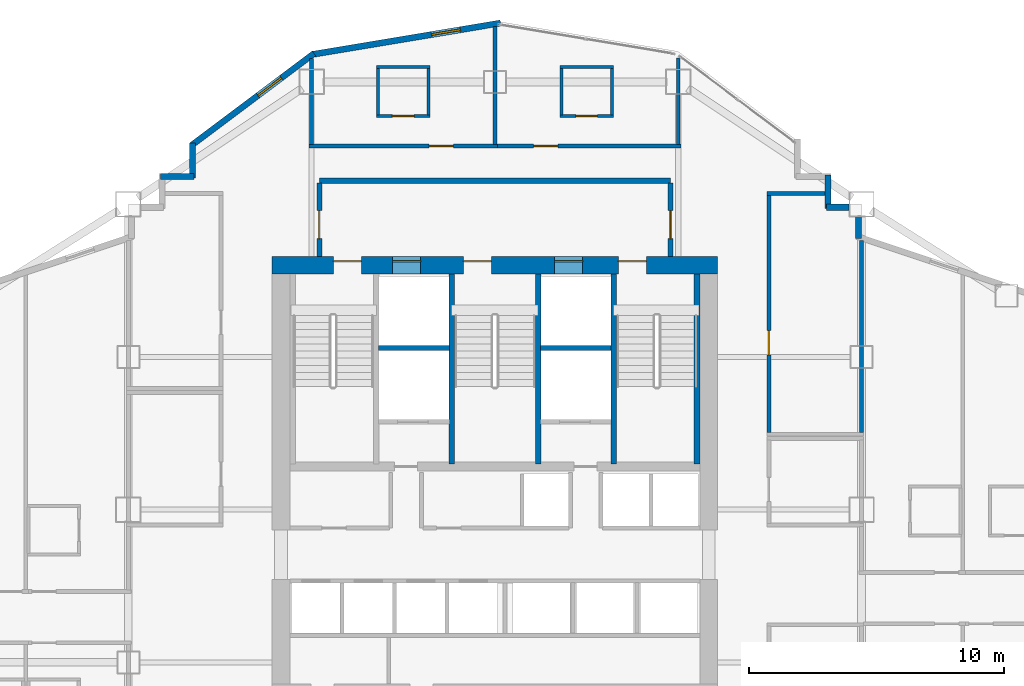
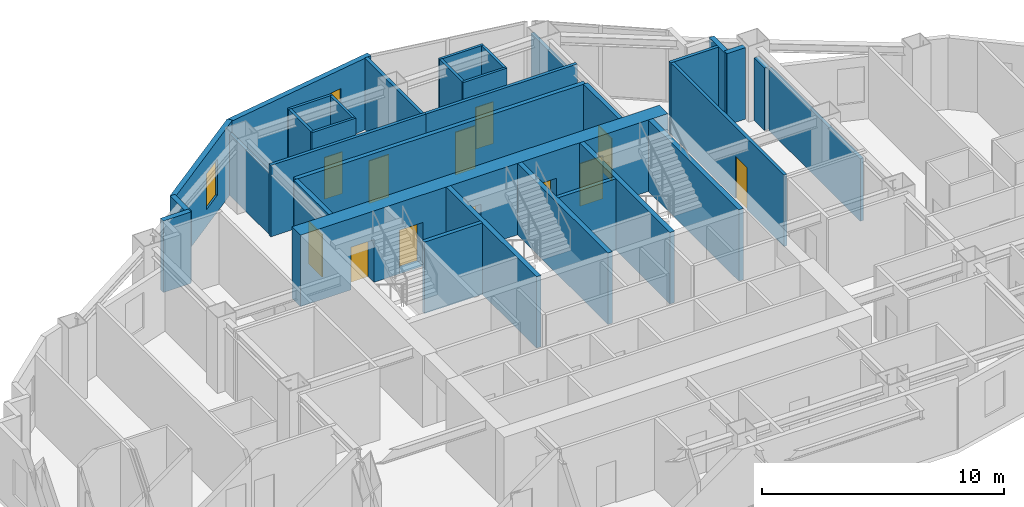
# One storey, part 11 of 16: 33 walls, 12 doors, 2 windows, 14 openings.
"""IFC4 building model written with IfcOpenShell, lengths in metres."""

from ifc_helpers import new_model, si_unit, direction, frame, frame_2d, origin, place, context, subcontext, project, spatial, rectangle, extrude, material, layer, layer_set, type_object, element, fill, save


model = new_model("IFC4")

# Units and contexts
model_context = context("Model", 3, precision=1e-05, world=origin(), true_north=direction((0.0, 1.0)))
body_context = subcontext(model_context, "Body", "Model", "MODEL_VIEW")
ifc_project = project(units=[si_unit("LENGTHUNIT", "METRE"), si_unit("AREAUNIT", "SQUARE_METRE"), si_unit("VOLUMEUNIT", "CUBIC_METRE"), si_unit("PLANEANGLEUNIT", "RADIAN"), si_unit("MASSUNIT", "GRAM", prefix="KILO")], contexts=[model_context])

# Site, building, storey
site_placement = place(None, origin())
site = spatial("IfcSite", under=ifc_project, at=site_placement, CompositionType="ELEMENT")
building_placement = place(site_placement, origin())
building = spatial("IfcBuilding", under=site, at=building_placement, Name="Haolan Belvedere Tower", CompositionType="ELEMENT")
storey_placement = place(building_placement, frame((0.0, 0.0, 125.0)))
storey = spatial("IfcBuildingStorey", under=building, at=storey_placement, Name="L31", CompositionType="ELEMENT", Elevation=125.0)

# Wall, openings, doors
ifc_material_1 = material(Name="Concrete C60/75", Category="concrete")
ifc_layer_1 = layer(ifc_material_1, 0.699951171875, Name="Concrete C60/75")
ifc_layer_set_1 = layer_set([ifc_layer_1], Name="Concrete C60/75")
wall_type_1 = type_object("IfcWallType", Name="WL-CORE-700", PredefinedType="SHEAR", material=ifc_layer_set_1)
wall_1_placement = place(storey_placement, frame((29.64990234375, 43.199951171875, 0.0), z_axis=(0.0, 0.0, 1.0), x_axis=(1.0, 0.0, 0.0)))
wall_1 = element("IfcWall", 1, at=wall_1_placement, inside=storey, type_object=wall_type_1, Name="L31 central core north shear wall", PredefinedType="SHEAR", context=body_context, shape_type="SweptSolid", body=[
    extrude(rectangle(XDim=17.5, YDim=0.699951171875, at=frame_2d((8.75, 0.0))), origin(), (0.0, 0.0, 1.0), 3.60009765625),
])
opening_1_placement = place(wall_1_placement, frame((2.39990234375, 0.0, 0.0)))
opening_1 = element("IfcOpeningElement", 2, at=opening_1_placement, cuts=wall_1, Name="Opening FD-03", PredefinedType="OPENING", context=body_context, shape_type="SweptSolid", body=[
    extrude(rectangle(XDim=1.10009765625, YDim=2.14990234375, at=frame_2d((0.550048828125, 1.074951171875))), frame((0.0, 0.35986328125, 0.0), z_axis=(0.0, -1.0, 0.0), x_axis=(1.0, 0.0, 0.0)), (0.0, 0.0, 1.0), 0.719970703125),
])
opening_2_placement = place(wall_1_placement, frame((7.510009765625, 0.0, 0.0)))
opening_2 = element("IfcOpeningElement", 3, at=opening_2_placement, cuts=wall_1, Name="Opening FD-03", PredefinedType="OPENING", context=body_context, shape_type="SweptSolid", body=[
    extrude(rectangle(XDim=1.10009765625, YDim=2.14990234375, at=frame_2d((0.550048828125, 1.074951171875))), frame((0.0, 0.35986328125, 0.0), z_axis=(0.0, -1.0, 0.0), x_axis=(1.0, 0.0, 0.0)), (0.0, 0.0, 1.0), 0.719970703125),
])
opening_3_placement = place(wall_1_placement, frame((13.60009765625, 0.0, 0.0)))
opening_3 = element("IfcOpeningElement", 4, at=opening_3_placement, cuts=wall_1, Name="Opening FD-03", PredefinedType="OPENING", context=body_context, shape_type="SweptSolid", body=[
    extrude(rectangle(XDim=1.10009765625, YDim=2.14990234375, at=frame_2d((0.550048828125, 1.074951171875))), frame((0.0, 0.35986328125, 0.0), z_axis=(0.0, -1.0, 0.0), x_axis=(1.0, 0.0, 0.0)), (0.0, 0.0, 1.0), 0.719970703125),
])
opening_4_placement = place(wall_1_placement, frame((4.72998046875, 0.0, 0.0)))
opening_4 = element("IfcOpeningElement", 5, at=opening_4_placement, cuts=wall_1, Name="Opening LD-01", PredefinedType="OPENING", context=body_context, shape_type="SweptSolid", body=[
    extrude(rectangle(XDim=1.10009765625, YDim=2.199951171875, at=frame_2d((0.550048828125, 1.10009765625))), frame((0.0, 0.35986328125, 0.0), z_axis=(0.0, -1.0, 0.0), x_axis=(1.0, 0.0, 0.0)), (0.0, 0.0, 1.0), 0.719970703125),
])
opening_5_placement = place(wall_1_placement, frame((11.090087890625, 0.0, 0.0)))
opening_5 = element("IfcOpeningElement", 6, at=opening_5_placement, cuts=wall_1, Name="Opening LD-01", PredefinedType="OPENING", context=body_context, shape_type="SweptSolid", body=[
    extrude(rectangle(XDim=1.10009765625, YDim=2.199951171875, at=frame_2d((0.550048828125, 1.10009765625))), frame((0.0, 0.35986328125, 0.0), z_axis=(0.0, -1.0, 0.0), x_axis=(1.0, 0.0, 0.0)), (0.0, 0.0, 1.0), 0.719970703125),
])
ifc_material_2 = material(Name="Galvanised fire-rated steel", Category="steel")
door_type_1 = type_object("IfcDoorType", Name="DR-FD90-1100", OperationType="NOTDEFINED", PredefinedType="DOOR", material=ifc_material_2)
door_1_placement = place(opening_1_placement, origin())
door_1 = element("IfcDoor", 7, at=door_1_placement, inside=storey, type_object=door_type_1, Name="L31 door CD-L31-ST1", OperationType="SINGLE_SWING_LEFT", OverallHeight=2.14990234375, OverallWidth=1.10009765625, PredefinedType="DOOR", context=body_context, shape_type="SweptSolid", body=[
    extrude(rectangle(XDim=1.10009765625, YDim=2.14990234375, at=frame_2d((0.550048828125, 1.074951171875))), frame((0.0, 0.18505859375, 0.0), z_axis=(0.0, -1.0, 0.0), x_axis=(1.0, 0.0, 0.0)), (0.0, 0.0, 1.0), 0.050048828125),
])
fill(opening_1, door_1)
door_2_placement = place(opening_2_placement, origin())
door_2 = element("IfcDoor", 8, at=door_2_placement, inside=storey, type_object=door_type_1, Name="L31 door CD-L31-ST3", OperationType="SINGLE_SWING_LEFT", OverallHeight=2.14990234375, OverallWidth=1.10009765625, PredefinedType="DOOR", context=body_context, shape_type="SweptSolid", body=[
    extrude(rectangle(XDim=1.10009765625, YDim=2.14990234375, at=frame_2d((0.550048828125, 1.074951171875))), frame((0.0, 0.18505859375, 0.0), z_axis=(0.0, -1.0, 0.0), x_axis=(1.0, 0.0, 0.0)), (0.0, 0.0, 1.0), 0.050048828125),
])
fill(opening_2, door_2)
door_3_placement = place(opening_3_placement, origin())
door_3 = element("IfcDoor", 9, at=door_3_placement, inside=storey, type_object=door_type_1, Name="L31 door CD-L31-ST2", OperationType="SINGLE_SWING_RIGHT", OverallHeight=2.14990234375, OverallWidth=1.10009765625, PredefinedType="DOOR", context=body_context, shape_type="SweptSolid", body=[
    extrude(rectangle(XDim=1.10009765625, YDim=2.14990234375, at=frame_2d((0.550048828125, 1.074951171875))), frame((0.0, 0.18505859375, 0.0), z_axis=(0.0, -1.0, 0.0), x_axis=(1.0, 0.0, 0.0)), (0.0, 0.0, 1.0), 0.050048828125),
])
fill(opening_3, door_3)
ifc_material_3 = material(Name="Brushed champagne stainless steel 316L", Category="steel")
door_type_2 = type_object("IfcDoorType", Name="DR-LIFT-1100", OperationType="SLIDING_TO_LEFT", PredefinedType="DOOR", material=ifc_material_3)
door_4_placement = place(opening_4_placement, origin())
door_4 = element("IfcDoor", 10, at=door_4_placement, inside=storey, type_object=door_type_2, Name="L31 door LD-L31-FF1", OperationType="SLIDING_TO_LEFT", OverallHeight=2.199951171875, OverallWidth=1.10009765625, PredefinedType="DOOR", context=body_context, shape_type="SweptSolid", body=[
    extrude(rectangle(XDim=1.10009765625, YDim=2.199951171875, at=frame_2d((0.550048828125, 1.10009765625))), frame((0.0, 0.18505859375, 0.0), z_axis=(0.0, -1.0, 0.0), x_axis=(1.0, 0.0, 0.0)), (0.0, 0.0, 1.0), 0.050048828125),
])
fill(opening_4, door_4)
door_5_placement = place(opening_5_placement, origin())
door_5 = element("IfcDoor", 11, at=door_5_placement, inside=storey, type_object=door_type_2, Name="L31 door LD-L31-FF2", OperationType="SLIDING_TO_LEFT", OverallHeight=2.199951171875, OverallWidth=1.10009765625, PredefinedType="DOOR", context=body_context, shape_type="SweptSolid", body=[
    extrude(rectangle(XDim=1.10009765625, YDim=2.199951171875, at=frame_2d((0.550048828125, 1.10009765625))), frame((0.0, 0.18505859375, 0.0), z_axis=(0.0, -1.0, 0.0), x_axis=(1.0, 0.0, 0.0)), (0.0, 0.0, 1.0), 0.050048828125),
])
fill(opening_5, door_5)

# Walls
ifc_material_4 = material(Name="Precast concrete C40/50", Category="concrete")
ifc_layer_2 = layer(ifc_material_4, 0.239990234375, Name="Precast concrete C40/50")
ifc_layer_set_2 = layer_set([ifc_layer_2], Name="Precast concrete C40/50")
wall_type_2 = type_object("IfcWallType", Name="WL-EXT-240", PredefinedType="SOLIDWALL", material=ifc_layer_set_2)
wall_2_placement = place(storey_placement, frame((52.679931640625, 44.258544921875, 0.0), z_axis=(0.0, 0.0, 1.0), x_axis=(0.0, 1.0, 0.0)))
element("IfcWall", 12, at=wall_2_placement, inside=storey, type_object=wall_type_2, Name="L31 pale-metal exterior spandrel wall 21.1", PredefinedType="SOLIDWALL", context=body_context, shape_type="SweptSolid", body=[
    extrude(rectangle(XDim=0.849365234375, YDim=0.239990234375, at=frame_2d((0.4248046875, 0.0))), origin(), (0.0, 0.0, 1.0), 3.14501953125),
])
wall_3_placement = place(storey_placement, frame((52.30810546875, 45.47998046875, 0.0), z_axis=(0.0, 0.0, 1.0), x_axis=(-1.0, 0.0, 0.0)))
element("IfcWall", 13, at=wall_3_placement, inside=storey, type_object=wall_type_2, Name="L31 pale-metal exterior spandrel wall 22.1", PredefinedType="SOLIDWALL", context=body_context, shape_type="SweptSolid", body=[
    extrude(rectangle(XDim=0.883056640625, YDim=0.239990234375, at=frame_2d((0.44140625, 0.0))), origin(), (0.0, 0.0, 1.0), 3.60009765625),
])
wall_4_placement = place(storey_placement, frame((51.47998046875, 45.425048828125, 0.0), z_axis=(0.0, 0.0, 1.0), x_axis=(0.0, 1.0, 0.0)))
element("IfcWall", 14, at=wall_4_placement, inside=storey, type_object=wall_type_2, Name="L31 pale-metal exterior spandrel wall 23.1", PredefinedType="SOLIDWALL", context=body_context, shape_type="SweptSolid", body=[
    extrude(rectangle(XDim=1.31005859375, YDim=0.239990234375, at=frame_2d((0.655029296875, 0.0))), origin(), (0.0, 0.0, 1.0), 3.60009765625),
])

# Wall, opening, window
wall_5_placement = place(storey_placement, frame((38.621826171875, 52.71533203125, 0.0), z_axis=(0.0, 0.0, 1.0), x_axis=(-0.98639129485, -0.164414760418, 0.0)))
wall_5 = element("IfcWall", 15, at=wall_5_placement, inside=storey, type_object=wall_type_2, Name="L31 pale-metal exterior spandrel wall 28.1", PredefinedType="SOLIDWALL", context=body_context, shape_type="SweptSolid", body=[
    extrude(rectangle(XDim=7.530029296875, YDim=0.239990234375, at=frame_2d((3.76513671875, 0.0))), origin(), (0.0, 0.0, 1.0), 3.60009765625),
])
opening_6_placement = place(wall_5_placement, frame((1.60009765625, 0.0, 0.85009765625)))
opening_6 = element("IfcOpeningElement", 16, at=opening_6_placement, cuts=wall_5, Name="Opening W-02", PredefinedType="OPENING", context=body_context, shape_type="SweptSolid", body=[
    extrude(rectangle(XDim=1.14990234375, YDim=1.800048828125, at=frame_2d((0.574951171875, 0.89990234375))), frame((0.0, 0.1298828125, 0.0), z_axis=(0.0, -1.0, 0.0), x_axis=(1.0, 0.0, 0.0)), (0.0, 0.0, 1.0), 0.260009765625),
])
ifc_material_5 = material(Name="Anodised aluminium 6063-T6 and Low-E glass", Category="aluminium")
window_type = type_object("IfcWindowType", Name="WN-DECO-Z2", PartitioningType="SINGLE_PANEL", PredefinedType="WINDOW", material=ifc_material_5)
window_1_placement = place(opening_6_placement, origin())
window_1 = element("IfcWindow", 17, at=window_1_placement, inside=storey, type_object=window_type, Name="L31 Art Deco chevron window 1", OverallHeight=1.800048828125, OverallWidth=1.14990234375, PartitioningType="SINGLE_PANEL", PredefinedType="WINDOW", context=body_context, shape_type="SweptSolid", body=[
    extrude(rectangle(XDim=1.14990234375, YDim=1.800048828125, at=frame_2d((0.574951171875, 0.89990234375))), frame((0.0, 0.030029296875, 0.0), z_axis=(0.0, -1.0, 0.0), x_axis=(1.0, 0.0, 0.0)), (0.0, 0.0, 1.0), 0.06005859375),
])
fill(opening_6, window_1)

wall_6_placement = place(storey_placement, frame((31.29248046875, 51.519287109375, 0.0), z_axis=(0.0, 0.0, 1.0), x_axis=(-0.8, -0.6, 0.0)))
wall_6 = element("IfcWall", 18, at=wall_6_placement, inside=storey, type_object=wall_type_2, Name="L31 pale-metal exterior spandrel wall 29.1", PredefinedType="SOLIDWALL", context=body_context, shape_type="SweptSolid", body=[
    extrude(rectangle(XDim=6.0205078125, YDim=0.239990234375, at=frame_2d((3.01025390625, 0.0))), origin(), (0.0, 0.0, 1.0), 3.60009765625),
])
opening_7_placement = place(wall_6_placement, frame((1.60009765625, 0.0, 0.85009765625)))
opening_7 = element("IfcOpeningElement", 19, at=opening_7_placement, cuts=wall_6, Name="Opening W-02", PredefinedType="OPENING", context=body_context, shape_type="SweptSolid", body=[
    extrude(rectangle(XDim=1.14990234375, YDim=1.800048828125, at=frame_2d((0.574951171875, 0.89990234375))), frame((0.0, 0.1298828125, 0.0), z_axis=(0.0, -1.0, 0.0), x_axis=(1.0, 0.0, 0.0)), (0.0, 0.0, 1.0), 0.260009765625),
])
window_2_placement = place(opening_7_placement, origin())
window_2 = element("IfcWindow", 20, at=window_2_placement, inside=storey, type_object=window_type, Name="L31 Art Deco chevron window 1", OverallHeight=1.800048828125, OverallWidth=1.14990234375, PartitioningType="SINGLE_PANEL", PredefinedType="WINDOW", context=body_context, shape_type="SweptSolid", body=[
    extrude(rectangle(XDim=1.14990234375, YDim=1.800048828125, at=frame_2d((0.574951171875, 0.89990234375))), frame((0.0, 0.030029296875, 0.0), z_axis=(0.0, -1.0, 0.0), x_axis=(1.0, 0.0, 0.0)), (0.0, 0.0, 1.0), 0.06005859375),
])
fill(opening_7, window_2)

# Walls
wall_7_placement = place(storey_placement, frame((26.52001953125, 47.9951171875, 0.0), z_axis=(0.0, 0.0, 1.0), x_axis=(0.0, -1.0, 0.0)))
element("IfcWall", 21, at=wall_7_placement, inside=storey, type_object=wall_type_2, Name="L31 pale-metal exterior spandrel wall 30.1", PredefinedType="SOLIDWALL", context=body_context, shape_type="SweptSolid", body=[
    extrude(rectangle(XDim=1.3701171875, YDim=0.239990234375, at=frame_2d((0.68505859375, 0.0))), origin(), (0.0, 0.0, 1.0), 3.60009765625),
])
wall_8_placement = place(storey_placement, frame((26.574951171875, 46.679931640625, 0.0), z_axis=(0.0, 0.0, 1.0), x_axis=(-1.0, 0.0, 0.0)))
element("IfcWall", 22, at=wall_8_placement, inside=storey, type_object=wall_type_2, Name="L31 pale-metal exterior spandrel wall 31.1", PredefinedType="SOLIDWALL", context=body_context, shape_type="SweptSolid", body=[
    extrude(rectangle(XDim=1.31005859375, YDim=0.239990234375, at=frame_2d((0.655029296875, 0.0))), origin(), (0.0, 0.0, 1.0), 3.60009765625),
])
ifc_material_6 = material(Name="Concrete C40/50", Category="concrete")
ifc_layer_3 = layer(ifc_material_6, 0.199951171875, Name="Concrete C40/50")
ifc_layer_set_3 = layer_set([ifc_layer_3], Name="Concrete C40/50")
wall_type_3 = type_object("IfcWallType", Name="WL-FIRE-200", PredefinedType="SOLIDWALL", material=ifc_layer_set_3)
wall_9_placement = place(storey_placement, frame((31.5, 46.52001953125, 0.0), z_axis=(0.0, 0.0, 1.0), x_axis=(1.0, 0.0, 0.0)))
element("IfcWall", 23, at=wall_9_placement, inside=storey, type_object=wall_type_3, Name="L31 interior partition IW-L31-FFL-N", PredefinedType="SOLIDWALL", context=body_context, shape_type="SweptSolid", body=[
    extrude(rectangle(XDim=13.800048828125, YDim=0.199951171875, at=frame_2d((6.89990234375, 0.0))), origin(), (0.0, 0.0, 1.0), 3.60009765625),
])

# Wall, opening, door
wall_10_placement = place(storey_placement, frame((31.5, 43.550048828125, 0.0), z_axis=(0.0, 0.0, 1.0), x_axis=(0.0, 1.0, 0.0)))
wall_10 = element("IfcWall", 24, at=wall_10_placement, inside=storey, type_object=wall_type_3, Name="L31 interior partition IW-L31-FFL-W", PredefinedType="SOLIDWALL", context=body_context, shape_type="SweptSolid", body=[
    extrude(rectangle(XDim=2.885009765625, YDim=0.199951171875, at=frame_2d((1.4423828125, 0.0))), origin(), (0.0, 0.0, 1.0), 3.60009765625),
])
opening_8_placement = place(wall_10_placement, frame((1.800048828125, 0.0, 0.0), z_axis=(0.0, 0.0, 1.0), x_axis=(-1.0, 0.0, 0.0)))
opening_8 = element("IfcOpeningElement", 25, at=opening_8_placement, cuts=wall_10, Name="Opening FD-03", PredefinedType="OPENING", context=body_context, shape_type="SweptSolid", body=[
    extrude(rectangle(XDim=1.10009765625, YDim=2.14990234375, at=frame_2d((0.550048828125, 1.074951171875))), frame((0.0, 0.10986328125, 0.0), z_axis=(0.0, -1.0, 0.0), x_axis=(1.0, 0.0, 0.0)), (0.0, 0.0, 1.0), 0.219970703125),
])
door_6_placement = place(opening_8_placement, origin())
door_6 = element("IfcDoor", 26, at=door_6_placement, inside=storey, type_object=door_type_1, Name="L31 door ID-L31-FFL-DW", OperationType="SINGLE_SWING_LEFT", OverallHeight=2.14990234375, OverallWidth=1.10009765625, PredefinedType="DOOR", context=body_context, shape_type="SweptSolid", body=[
    extrude(rectangle(XDim=1.10009765625, YDim=2.14990234375, at=frame_2d((0.550048828125, 1.074951171875))), frame((0.0, 0.02490234375, 0.0), z_axis=(0.0, -1.0, 0.0), x_axis=(1.0, 0.0, 0.0)), (0.0, 0.0, 1.0), 0.050048828125),
])
fill(opening_8, door_6)

wall_11_placement = place(storey_placement, frame((45.300048828125, 43.550048828125, 0.0), z_axis=(0.0, 0.0, 1.0), x_axis=(0.0, 1.0, 0.0)))
wall_11 = element("IfcWall", 27, at=wall_11_placement, inside=storey, type_object=wall_type_3, Name="L31 interior partition IW-L31-FFL-E", PredefinedType="SOLIDWALL", context=body_context, shape_type="SweptSolid", body=[
    extrude(rectangle(XDim=2.885009765625, YDim=0.199951171875, at=frame_2d((1.4423828125, 0.0))), origin(), (0.0, 0.0, 1.0), 3.60009765625),
])
opening_9_placement = place(wall_11_placement, frame((0.699951171875, 0.0, 0.0)))
opening_9 = element("IfcOpeningElement", 28, at=opening_9_placement, cuts=wall_11, Name="Opening FD-03", PredefinedType="OPENING", context=body_context, shape_type="SweptSolid", body=[
    extrude(rectangle(XDim=1.10009765625, YDim=2.14990234375, at=frame_2d((0.550048828125, 1.074951171875))), frame((0.0, 0.10986328125, 0.0), z_axis=(0.0, -1.0, 0.0), x_axis=(1.0, 0.0, 0.0)), (0.0, 0.0, 1.0), 0.219970703125),
])
door_7_placement = place(opening_9_placement, origin())
door_7 = element("IfcDoor", 29, at=door_7_placement, inside=storey, type_object=door_type_1, Name="L31 door ID-L31-FFL-DE", OperationType="SINGLE_SWING_RIGHT", OverallHeight=2.14990234375, OverallWidth=1.10009765625, PredefinedType="DOOR", context=body_context, shape_type="SweptSolid", body=[
    extrude(rectangle(XDim=1.10009765625, YDim=2.14990234375, at=frame_2d((0.550048828125, 1.074951171875))), frame((0.0, 0.02490234375, 0.0), z_axis=(0.0, -1.0, 0.0), x_axis=(1.0, 0.0, 0.0)), (0.0, 0.0, 1.0), 0.050048828125),
])
fill(opening_9, door_7)

# Wall
ifc_material_7 = material(Name="Double gypsum acoustic stud partition", Category="masonry")
ifc_layer_4 = layer(ifc_material_7, 0.14990234375, Name="Double gypsum acoustic stud partition")
ifc_layer_set_4 = layer_set([ifc_layer_4], Name="Double gypsum acoustic stud partition")
wall_type_4 = type_object("IfcWallType", Name="WL-PART-150", PredefinedType="PARTITIONING", material=ifc_layer_set_4)
wall_12_placement = place(storey_placement, frame((49.080078125, 46.02001953125, 0.0), z_axis=(0.0, 0.0, 1.0), x_axis=(1.0, 0.0, 0.0)))
element("IfcWall", 30, at=wall_12_placement, inside=storey, type_object=wall_type_4, Name="L31 interior partition IW-L31-SAL-N", PredefinedType="PARTITIONING", context=body_context, shape_type="SweptSolid", body=[
    extrude(rectangle(XDim=2.294921875, YDim=0.14990234375, at=frame_2d((1.1474609375, 0.0))), origin(), (0.0, 0.0, 1.0), 3.60009765625),
])

# Wall, opening, door
wall_13_placement = place(storey_placement, frame((49.159912109375, 36.6201171875, 0.0), z_axis=(0.0, 0.0, 1.0), x_axis=(0.0, 1.0, 0.0)))
wall_13 = element("IfcWall", 31, at=wall_13_placement, inside=storey, type_object=wall_type_4, Name="L31 interior partition IW-L31-SAL-W", PredefinedType="PARTITIONING", context=body_context, shape_type="SweptSolid", body=[
    extrude(rectangle(XDim=9.33984375, YDim=0.14990234375, at=frame_2d((4.669921875, 0.0))), origin(), (0.0, 0.0, 1.0), 3.60009765625),
])
opening_10_placement = place(wall_13_placement, frame((3.06005859375, 0.0, 0.0)))
opening_10 = element("IfcOpeningElement", 32, at=opening_10_placement, cuts=wall_13, Name="Opening ID-03", PredefinedType="OPENING", context=body_context, shape_type="SweptSolid", body=[
    extrude(rectangle(XDim=0.949951171875, YDim=2.1201171875, at=frame_2d((0.47509765625, 1.06005859375))), frame((0.0, 0.0849609375, 0.0), z_axis=(0.0, -1.0, 0.0), x_axis=(1.0, 0.0, 0.0)), (0.0, 0.0, 1.0), 0.169921875),
])
ifc_material_8 = material(Name="Painted solid-core timber", Category="wood")
door_type_3 = type_object("IfcDoorType", Name="DR-INT-950", OperationType="NOTDEFINED", PredefinedType="DOOR", material=ifc_material_8)
door_8_placement = place(opening_10_placement, origin())
door_8 = element("IfcDoor", 33, at=door_8_placement, inside=storey, type_object=door_type_3, Name="L31 door ID-L31-SAL", OperationType="SINGLE_SWING_LEFT", OverallHeight=2.1201171875, OverallWidth=0.949951171875, PredefinedType="DOOR", context=body_context, shape_type="SweptSolid", body=[
    extrude(rectangle(XDim=0.949951171875, YDim=2.1201171875, at=frame_2d((0.47509765625, 1.06005859375))), frame((0.0, 0.02490234375, 0.0), z_axis=(0.0, -1.0, 0.0), x_axis=(1.0, 0.0, 0.0)), (0.0, 0.0, 1.0), 0.050048828125),
])
fill(opening_10, door_8)

# Wall
wall_14_placement = place(storey_placement, frame((52.800048828125, 36.6201171875, 0.0), z_axis=(0.0, 0.0, 1.0), x_axis=(0.0, 1.0, 0.0)))
element("IfcWall", 34, at=wall_14_placement, inside=storey, type_object=wall_type_4, Name="L31 interior partition IW-L31-SAL-E", PredefinedType="PARTITIONING", context=body_context, shape_type="SweptSolid", body=[
    extrude(rectangle(XDim=7.542724609375, YDim=0.14990234375, at=frame_2d((3.771484375, 0.0))), origin(), (0.0, 0.0, 1.0), 3.14501953125),
])

# Wall, opening, door
wall_15_placement = place(storey_placement, frame((31.10009765625, 47.8798828125, 0.0), z_axis=(0.0, 0.0, 1.0), x_axis=(1.0, 0.0, 0.0)))
wall_15 = element("IfcWall", 35, at=wall_15_placement, inside=storey, type_object=wall_type_4, Name="L31 interior partition IW-L31-KN2-S", PredefinedType="PARTITIONING", context=body_context, shape_type="SweptSolid", body=[
    extrude(rectangle(XDim=7.39990234375, YDim=0.14990234375, at=frame_2d((3.699951171875, 0.0))), origin(), (0.0, 0.0, 1.0), 3.60009765625),
])
opening_11_placement = place(wall_15_placement, frame((4.713623046875, 0.0, 0.0)))
opening_11 = element("IfcOpeningElement", 36, at=opening_11_placement, cuts=wall_15, Name="Opening ID-02", PredefinedType="OPENING", context=body_context, shape_type="SweptSolid", body=[
    extrude(rectangle(XDim=0.949951171875, YDim=2.14990234375, at=frame_2d((0.47509765625, 1.074951171875))), frame((0.0, 0.0849609375, 0.0), z_axis=(0.0, -1.0, 0.0), x_axis=(1.0, 0.0, 0.0)), (0.0, 0.0, 1.0), 0.169921875),
])
ifc_material_9 = material(Name="Acoustic oak veneer fire-rated timber", Category="wood")
door_type_4 = type_object("IfcDoorType", Name="DR-GUEST-950", OperationType="NOTDEFINED", PredefinedType="DOOR", material=ifc_material_9)
door_9_placement = place(opening_11_placement, origin())
door_9 = element("IfcDoor", 37, at=door_9_placement, inside=storey, type_object=door_type_4, Name="L31 door ID-L31-KN2-ENT", OperationType="SINGLE_SWING_LEFT", OverallHeight=2.14990234375, OverallWidth=0.949951171875, PredefinedType="DOOR", context=body_context, shape_type="SweptSolid", body=[
    extrude(rectangle(XDim=0.949951171875, YDim=2.14990234375, at=frame_2d((0.47509765625, 1.074951171875))), frame((0.0, 0.02490234375, 0.0), z_axis=(0.0, -1.0, 0.0), x_axis=(1.0, 0.0, 0.0)), (0.0, 0.0, 1.0), 0.050048828125),
])
fill(opening_11, door_9)

# Walls
wall_16_placement = place(storey_placement, frame((31.199951171875, 47.93994140625, 0.0), z_axis=(0.0, 0.0, 1.0), x_axis=(0.0, 1.0, 0.0)))
element("IfcWall", 38, at=wall_16_placement, inside=storey, type_object=wall_type_4, Name="L31 interior partition IW-L31-KN2-W", PredefinedType="PARTITIONING", context=body_context, shape_type="SweptSolid", body=[
    extrude(rectangle(XDim=3.378662109375, YDim=0.14990234375, at=frame_2d((1.689453125, 0.0))), origin(), (0.0, 0.0, 1.0), 3.0849609375),
])
wall_17_placement = place(storey_placement, frame((38.39990234375, 47.93994140625, 0.0), z_axis=(0.0, 0.0, 1.0), x_axis=(0.0, 1.0, 0.0)))
element("IfcWall", 39, at=wall_17_placement, inside=storey, type_object=wall_type_4, Name="L31 interior partition IW-L31-KN2-E", PredefinedType="PARTITIONING", context=body_context, shape_type="SweptSolid", body=[
    extrude(rectangle(XDim=4.632080078125, YDim=0.14990234375, at=frame_2d((2.31591796875, 0.0))), origin(), (0.0, 0.0, 1.0), 3.60009765625),
])

# Wall, opening, door
wall_18_placement = place(storey_placement, frame((38.501953125, 47.8798828125, 0.0), z_axis=(0.0, 0.0, 1.0), x_axis=(1.0, 0.0, 0.0)))
wall_18 = element("IfcWall", 40, at=wall_18_placement, inside=storey, type_object=wall_type_4, Name="L31 interior partition IW-L31-KN3-S", PredefinedType="PARTITIONING", context=body_context, shape_type="SweptSolid", body=[
    extrude(rectangle(XDim=7.197998046875, YDim=0.14990234375, at=frame_2d((3.59912109375, 0.0))), origin(), (0.0, 0.0, 1.0), 3.60009765625),
])
opening_12_placement = place(wall_18_placement, frame((1.41748046875, 0.0, 0.0)))
opening_12 = element("IfcOpeningElement", 41, at=opening_12_placement, cuts=wall_18, Name="Opening ID-02", PredefinedType="OPENING", context=body_context, shape_type="SweptSolid", body=[
    extrude(rectangle(XDim=0.949951171875, YDim=2.14990234375, at=frame_2d((0.47509765625, 1.074951171875))), frame((0.0, 0.0849609375, 0.0), z_axis=(0.0, -1.0, 0.0), x_axis=(1.0, 0.0, 0.0)), (0.0, 0.0, 1.0), 0.169921875),
])
door_10_placement = place(opening_12_placement, origin())
door_10 = element("IfcDoor", 42, at=door_10_placement, inside=storey, type_object=door_type_4, Name="L31 door ID-L31-KN3-ENT", OperationType="SINGLE_SWING_RIGHT", OverallHeight=2.14990234375, OverallWidth=0.949951171875, PredefinedType="DOOR", context=body_context, shape_type="SweptSolid", body=[
    extrude(rectangle(XDim=0.949951171875, YDim=2.14990234375, at=frame_2d((0.47509765625, 1.074951171875))), frame((0.0, 0.02490234375, 0.0), z_axis=(0.0, -1.0, 0.0), x_axis=(1.0, 0.0, 0.0)), (0.0, 0.0, 1.0), 0.050048828125),
])
fill(opening_12, door_10)

# Walls
wall_19_placement = place(storey_placement, frame((45.60009765625, 47.93994140625, 0.0), z_axis=(0.0, 0.0, 1.0), x_axis=(0.0, 1.0, 0.0)))
element("IfcWall", 43, at=wall_19_placement, inside=storey, type_object=wall_type_4, Name="L31 interior partition IW-L31-KN3-E", PredefinedType="PARTITIONING", context=body_context, shape_type="SweptSolid", body=[
    extrude(rectangle(XDim=3.39501953125, YDim=0.14990234375, at=frame_2d((1.697509765625, 0.0))), origin(), (0.0, 0.0, 1.0), 3.0849609375),
])
ifc_layer_5 = layer(ifc_material_4, 0.179931640625, Name="Precast concrete C40/50")
ifc_layer_set_5 = layer_set([ifc_layer_5], Name="Precast concrete C40/50")
wall_type_5 = type_object("IfcWallType", Name="WL-SHAFT-180", PredefinedType="SOLIDWALL", material=ifc_layer_set_5)
for number, where, z_axis, x_axis, name in (
    (44, (33.8349609375, 39.949951171875, 0.0), (0.0, 0.0, 1.0), (1.0, 0.0, 0.0), "L31 interior partition IW-L31-FF1-S"),
    (45, (40.195068359375, 39.949951171875, 0.0), (0.0, 0.0, 1.0), (1.0, 0.0, 0.0), "L31 interior partition IW-L31-FF2-S"),
):
    element("IfcWall", number, at=place(storey_placement, frame(where, z_axis=z_axis, x_axis=x_axis)), inside=storey, type_object=wall_type_5, Name=name, PredefinedType="SOLIDWALL", context=body_context, shape_type="SweptSolid", body=[
        extrude(rectangle(XDim=2.77001953125, YDim=0.179931640625, at=frame_2d((1.385009765625, 0.0))), origin(), (0.0, 0.0, 1.0), 3.60009765625),
    ])
ifc_material_10 = material(Name="Concrete C50/60", Category="concrete")
ifc_layer_6 = layer(ifc_material_10, 0.219970703125, Name="Concrete C50/60")
ifc_layer_set_6 = layer_set([ifc_layer_6], Name="Concrete C50/60")
wall_type_6 = type_object("IfcWallType", Name="WL-STAIR-220", PredefinedType="SHEAR", material=ifc_layer_set_6)
for number, where, z_axis, x_axis, name in (
    (46, (36.699951171875, 35.389892578125, 0.0), (0.0, 0.0, 1.0), (0.0, 1.0, 0.0), "L31 structural stair core wall ST3W"),
    (47, (40.10009765625, 35.389892578125, 0.0), (0.0, 0.0, 1.0), (0.0, 1.0, 0.0), "L31 structural stair core wall ST3E"),
    (48, (43.06005859375, 35.389892578125, 0.0), (0.0, 0.0, 1.0), (0.0, 1.0, 0.0), "L31 structural stair core wall ST2W"),
    (49, (46.337890625, 35.389892578125, 0.0), (0.0, 0.0, 1.0), (0.0, 1.0, 0.0), "L31 structural stair core wall ST2E"),
):
    element("IfcWall", number, at=place(storey_placement, frame(where, z_axis=z_axis, x_axis=x_axis)), inside=storey, type_object=wall_type_6, Name=name, PredefinedType="SHEAR", context=body_context, shape_type="SweptSolid", body=[
        extrude(rectangle(XDim=7.460205078125, YDim=0.219970703125, at=frame_2d((3.72998046875, 0.0))), origin(), (0.0, 0.0, 1.0), 3.60009765625),
    ])
ifc_material_11 = material(Name="Moisture-resistant gypsum tile partition", Category="masonry")
ifc_layer_7 = layer(ifc_material_11, 0.1201171875, Name="Moisture-resistant gypsum tile partition")
ifc_layer_set_7 = layer_set([ifc_layer_7], Name="Moisture-resistant gypsum tile partition")
wall_type_7 = type_object("IfcWallType", Name="WL-WET-120", PredefinedType="PARTITIONING", material=ifc_layer_set_7)
wall_20_placement = place(storey_placement, frame((33.75, 50.97998046875, 0.0), z_axis=(0.0, 0.0, 1.0), x_axis=(1.0, 0.0, 0.0)))
element("IfcWall", 50, at=wall_20_placement, inside=storey, type_object=wall_type_7, Name="L31 interior partition IW-L31-KN2-BN", PredefinedType="PARTITIONING", context=body_context, shape_type="SweptSolid", body=[
    extrude(rectangle(XDim=2.10009765625, YDim=0.1201171875, at=frame_2d((1.050048828125, 0.0))), origin(), (0.0, 0.0, 1.0), 3.60009765625),
])

# Wall, opening, door
wall_21_placement = place(storey_placement, frame((33.75, 49.06005859375, 0.0), z_axis=(0.0, 0.0, 1.0), x_axis=(1.0, 0.0, 0.0)))
wall_21 = element("IfcWall", 51, at=wall_21_placement, inside=storey, type_object=wall_type_7, Name="L31 interior partition IW-L31-KN2-BS", PredefinedType="PARTITIONING", context=body_context, shape_type="SweptSolid", body=[
    extrude(rectangle(XDim=2.10009765625, YDim=0.1201171875, at=frame_2d((1.050048828125, 0.0))), origin(), (0.0, 0.0, 1.0), 3.60009765625),
])
opening_13_placement = place(wall_21_placement, frame((0.625, 0.0, 0.0)))
opening_13 = element("IfcOpeningElement", 52, at=opening_13_placement, cuts=wall_21, Name="Opening ID-05", PredefinedType="OPENING", context=body_context, shape_type="SweptSolid", body=[
    extrude(rectangle(XDim=0.85009765625, YDim=2.10009765625, at=frame_2d((0.425048828125, 1.050048828125))), frame((0.0, 0.070068359375, 0.0), z_axis=(0.0, -1.0, 0.0), x_axis=(1.0, 0.0, 0.0)), (0.0, 0.0, 1.0), 0.14013671875),
])
ifc_material_12 = material(Name="Moisture-resistant lacquered timber", Category="wood")
door_type_5 = type_object("IfcDoorType", Name="DR-BATH-850", OperationType="NOTDEFINED", PredefinedType="DOOR", material=ifc_material_12)
door_11_placement = place(opening_13_placement, origin())
door_11 = element("IfcDoor", 53, at=door_11_placement, inside=storey, type_object=door_type_5, Name="L31 door ID-L31-KN2-BATH", OperationType="SINGLE_SWING_RIGHT", OverallHeight=2.10009765625, OverallWidth=0.85009765625, PredefinedType="DOOR", context=body_context, shape_type="SweptSolid", body=[
    extrude(rectangle(XDim=0.85009765625, YDim=2.10009765625, at=frame_2d((0.425048828125, 1.050048828125))), frame((0.0, 0.02490234375, 0.0), z_axis=(0.0, -1.0, 0.0), x_axis=(1.0, 0.0, 0.0)), (0.0, 0.0, 1.0), 0.050048828125),
])
fill(opening_13, door_11)

# Walls
for number, where, z_axis, x_axis, name in (
    (54, (33.81005859375, 49.10498046875, 0.0), (0.0, 0.0, 1.0), (0.0, 1.0, 0.0), "L31 interior partition IW-L31-KN2-BW"),
    (55, (35.7900390625, 49.10498046875, 0.0), (0.0, 0.0, 1.0), (0.0, 1.0, 0.0), "L31 interior partition IW-L31-KN2-BE"),
):
    element("IfcWall", number, at=place(storey_placement, frame(where, z_axis=z_axis, x_axis=x_axis)), inside=storey, type_object=wall_type_7, Name=name, PredefinedType="PARTITIONING", context=body_context, shape_type="SweptSolid", body=[
        extrude(rectangle(XDim=1.830078125, YDim=0.1201171875, at=frame_2d((0.9150390625, 0.0))), origin(), (0.0, 0.0, 1.0), 3.60009765625),
    ])
wall_22_placement = place(storey_placement, frame((40.949951171875, 50.97998046875, 0.0), z_axis=(0.0, 0.0, 1.0), x_axis=(1.0, 0.0, 0.0)))
element("IfcWall", 56, at=wall_22_placement, inside=storey, type_object=wall_type_7, Name="L31 interior partition IW-L31-KN3-BN", PredefinedType="PARTITIONING", context=body_context, shape_type="SweptSolid", body=[
    extrude(rectangle(XDim=2.10009765625, YDim=0.1201171875, at=frame_2d((1.050048828125, 0.0))), origin(), (0.0, 0.0, 1.0), 3.60009765625),
])

# Wall, opening, door
wall_23_placement = place(storey_placement, frame((40.949951171875, 49.06005859375, 0.0), z_axis=(0.0, 0.0, 1.0), x_axis=(1.0, 0.0, 0.0)))
wall_23 = element("IfcWall", 57, at=wall_23_placement, inside=storey, type_object=wall_type_7, Name="L31 interior partition IW-L31-KN3-BS", PredefinedType="PARTITIONING", context=body_context, shape_type="SweptSolid", body=[
    extrude(rectangle(XDim=2.10009765625, YDim=0.1201171875, at=frame_2d((1.050048828125, 0.0))), origin(), (0.0, 0.0, 1.0), 3.60009765625),
])
opening_14_placement = place(wall_23_placement, frame((0.625, 0.0, 0.0)))
opening_14 = element("IfcOpeningElement", 58, at=opening_14_placement, cuts=wall_23, Name="Opening ID-05", PredefinedType="OPENING", context=body_context, shape_type="SweptSolid", body=[
    extrude(rectangle(XDim=0.85009765625, YDim=2.10009765625, at=frame_2d((0.425048828125, 1.050048828125))), frame((0.0, 0.070068359375, 0.0), z_axis=(0.0, -1.0, 0.0), x_axis=(1.0, 0.0, 0.0)), (0.0, 0.0, 1.0), 0.14013671875),
])
door_12_placement = place(opening_14_placement, origin())
door_12 = element("IfcDoor", 59, at=door_12_placement, inside=storey, type_object=door_type_5, Name="L31 door ID-L31-KN3-BATH", OperationType="SINGLE_SWING_LEFT", OverallHeight=2.10009765625, OverallWidth=0.85009765625, PredefinedType="DOOR", context=body_context, shape_type="SweptSolid", body=[
    extrude(rectangle(XDim=0.85009765625, YDim=2.10009765625, at=frame_2d((0.425048828125, 1.050048828125))), frame((0.0, 0.02490234375, 0.0), z_axis=(0.0, -1.0, 0.0), x_axis=(1.0, 0.0, 0.0)), (0.0, 0.0, 1.0), 0.050048828125),
])
fill(opening_14, door_12)

# Walls
for number, where, z_axis, x_axis, name in (
    (60, (41.010009765625, 49.10498046875, 0.0), (0.0, 0.0, 1.0), (0.0, 1.0, 0.0), "L31 interior partition IW-L31-KN3-BW"),
    (61, (42.989990234375, 49.10498046875, 0.0), (0.0, 0.0, 1.0), (0.0, 1.0, 0.0), "L31 interior partition IW-L31-KN3-BE"),
):
    element("IfcWall", number, at=place(storey_placement, frame(where, z_axis=z_axis, x_axis=x_axis)), inside=storey, type_object=wall_type_7, Name=name, PredefinedType="PARTITIONING", context=body_context, shape_type="SweptSolid", body=[
        extrude(rectangle(XDim=1.830078125, YDim=0.1201171875, at=frame_2d((0.9150390625, 0.0))), origin(), (0.0, 0.0, 1.0), 3.60009765625),
    ])

save(model, "model.ifc")
